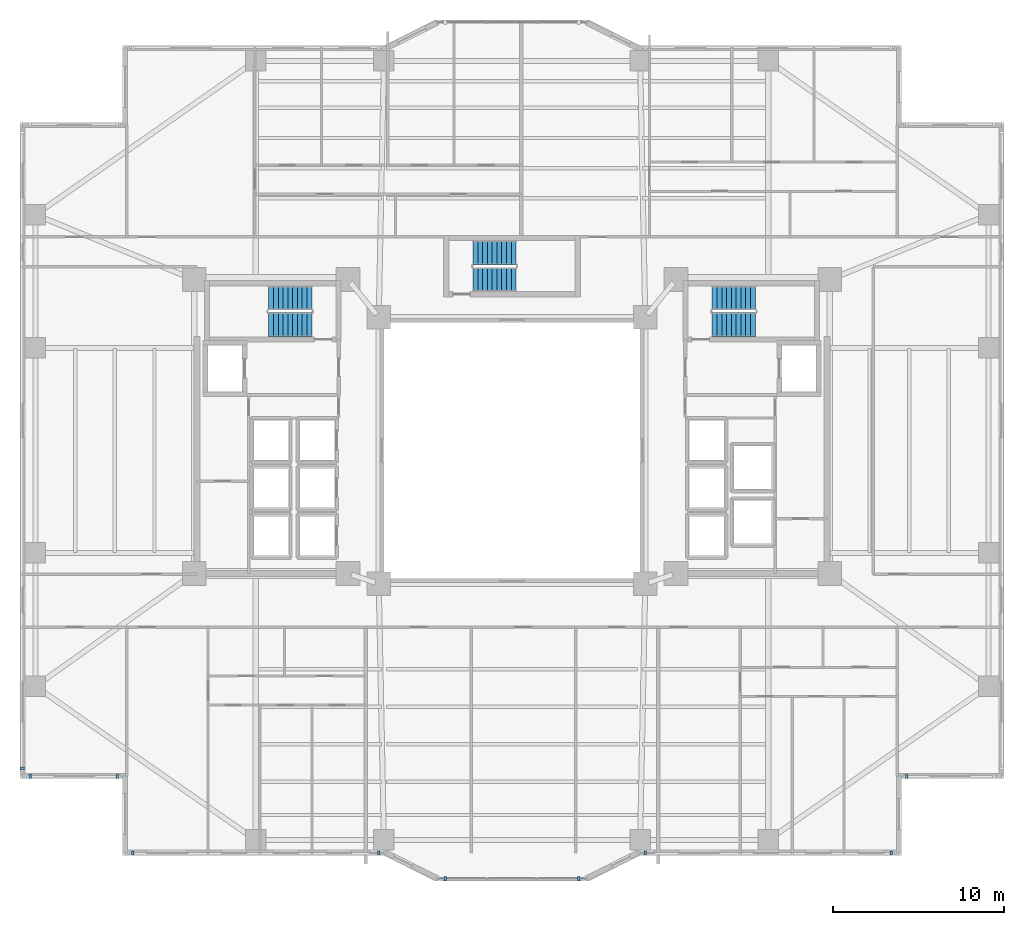
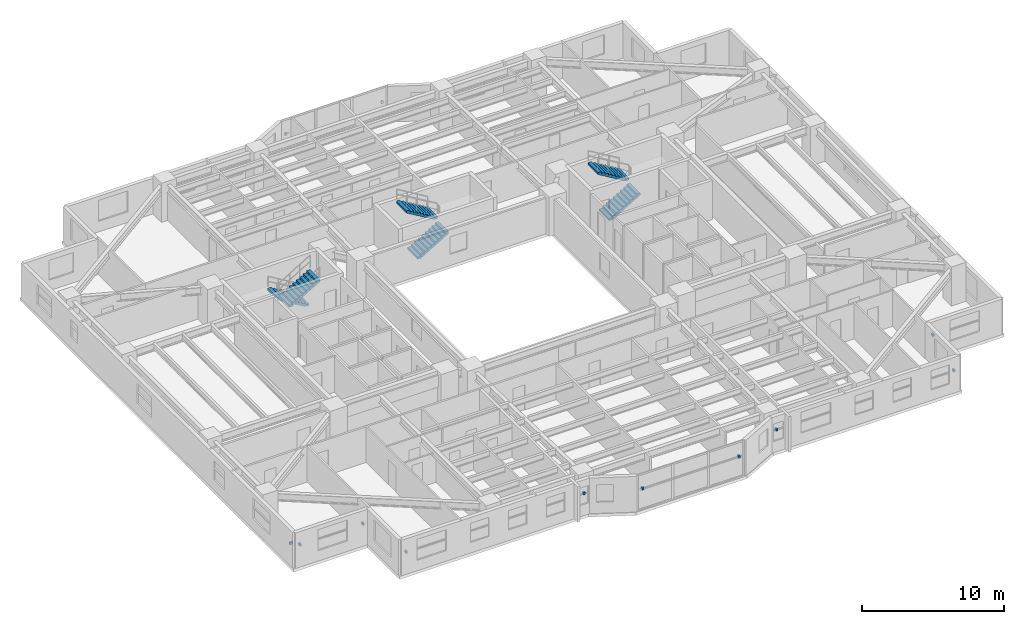
# One storey, part 15 of 20: 10 discrete accessories, 6 stair flights, 3 elements without a shape of their own.
"""IFC4 building model written with IfcOpenShell, lengths in metres."""

from ifc_helpers import new_model, si_unit, direction, frame, origin, origin_2d, place, context, subcontext, project, spatial, polyline, rectangle, outline, extrude, material, type_object, element, aggregate, save


model = new_model("IFC4")

# Units and contexts
model_context = context("Model", 3, precision=1e-05, world=origin(), true_north=direction((0.0, 1.0)))
body_context = subcontext(model_context, "Body", "Model", "MODEL_VIEW")
ifc_project = project(units=[si_unit("LENGTHUNIT", "METRE"), si_unit("AREAUNIT", "SQUARE_METRE"), si_unit("VOLUMEUNIT", "CUBIC_METRE"), si_unit("PLANEANGLEUNIT", "RADIAN"), si_unit("MASSUNIT", "GRAM", prefix="KILO")], contexts=[model_context])

# Site, building, storey
site_placement = place(None, origin())
site = spatial("IfcSite", under=ifc_project, at=site_placement, CompositionType="ELEMENT")
building_placement = place(site_placement, origin())
building = spatial("IfcBuilding", under=site, at=building_placement, Name="Tarnavaz Court Tower", CompositionType="ELEMENT")
storey_placement = place(building_placement, frame((0.0, 0.0, 60.85009765625)))
storey = spatial("IfcBuildingStorey", under=building, at=storey_placement, Name="L16", CompositionType="ELEMENT", Elevation=60.85009765625)

# Stair, stair flights
ifc_material_1 = material(Name="Concrete C40/50", Category="concrete")
stair_type = type_object("IfcStairType", Name="ST-TWR-20R", PredefinedType="HALF_TURN_STAIR", material=ifc_material_1)
stair_1_placement = place(storey_placement, origin())
stair_1 = element("IfcStair", 1, at=stair_1_placement, inside=storey, type_object=stair_type, Name="L16 West Core Pressurized Exit Stair ST-W1", PredefinedType="HALF_TURN_STAIR")
stair_flight_type = type_object("IfcStairFlightType", Name="SFL-RC-20R", PredefinedType="STRAIGHT", material=ifc_material_1)
stair_flight_1_placement = place(storey_placement, frame((-11.719970703125, 8.929931640625, 0.0), z_axis=(0.0, 0.0, 1.0), x_axis=(-1.0, 0.0, 0.0)))
stair_flight_1 = element("IfcStairFlight", 2, at=stair_flight_1_placement, type_object=stair_flight_type, Name="ST-W1 flight 1", NumberOfRisers=10, NumberOfTreads=9, PredefinedType="STRAIGHT", RiserHeight=0.1675, TreadLength=0.28, context=body_context, shape_type="SweptSolid", body=[
    extrude(outline(polyline([(0.0, 0.0), (0.0, 0.16748046875), (0.280029296875, 0.16748046875), (0.280029296875, 0.3349609375), (0.56005859375, 0.3349609375), (0.56005859375, 0.50244140625), (0.840087890625, 0.50244140625), (0.840087890625, 0.669921875), (1.1201171875, 0.669921875), (1.1201171875, 0.83740234375), (1.39990234375, 0.83740234375), (1.39990234375, 1.0048828125), (1.679931640625, 1.0048828125), (1.679931640625, 1.172607421875), (1.9599609375, 1.172607421875), (1.9599609375, 1.340087890625), (2.239990234375, 1.340087890625), (2.239990234375, 1.507568359375), (2.52001953125, 1.507568359375), (2.52001953125, 1.675048828125), (2.52001953125, 1.332763671875), (0.2919921875, 0.0), (0.0, 0.0)])), frame((0.0, 0.7099609375, 0.0), z_axis=(0.0, -1.0, 0.0), x_axis=(1.0, 0.0, 0.0)), (0.0, 0.0, 1.0), 1.419921875),
])
stair_flight_2_placement = place(storey_placement, frame((-14.239990234375, 7.360107421875, 1.6748046875), z_axis=(0.0, 0.0, 1.0), x_axis=(1.0, 0.0, 0.0)))
stair_flight_2 = element("IfcStairFlight", 3, at=stair_flight_2_placement, type_object=stair_flight_type, Name="ST-W1 flight 2", NumberOfRisers=10, NumberOfTreads=9, PredefinedType="STRAIGHT", RiserHeight=0.1675, TreadLength=0.28, context=body_context, shape_type="SweptSolid", body=[
    extrude(outline(polyline([(0.0, 0.0), (0.0, 0.16748046875), (0.280029296875, 0.16748046875), (0.280029296875, 0.3349609375), (0.56005859375, 0.3349609375), (0.56005859375, 0.50244140625), (0.840087890625, 0.50244140625), (0.840087890625, 0.669921875), (1.1201171875, 0.669921875), (1.1201171875, 0.83740234375), (1.39990234375, 0.83740234375), (1.39990234375, 1.0048828125), (1.679931640625, 1.0048828125), (1.679931640625, 1.172607421875), (1.9599609375, 1.172607421875), (1.9599609375, 1.340087890625), (2.239990234375, 1.340087890625), (2.239990234375, 1.507568359375), (2.52001953125, 1.507568359375), (2.52001953125, 1.675048828125), (2.52001953125, 1.332763671875), (0.2919921875, 0.0), (0.0, 0.0)])), frame((0.0, 0.7099609375, 0.0), z_axis=(0.0, -1.0, 0.0), x_axis=(1.0, 0.0, 0.0)), (0.0, 0.0, 1.0), 1.419921875),
])
aggregate(stair_1, [stair_flight_1, stair_flight_2])

stair_2_placement = place(storey_placement, origin())
stair_2 = element("IfcStair", 4, at=stair_2_placement, inside=storey, type_object=stair_type, Name="L16 East Core Pressurized Exit Stair ST-E1", PredefinedType="HALF_TURN_STAIR")
stair_flight_3_placement = place(storey_placement, frame((11.719970703125, 7.360107421875, 0.0), z_axis=(0.0, 0.0, 1.0), x_axis=(1.0, 0.0, 0.0)))
stair_flight_3 = element("IfcStairFlight", 5, at=stair_flight_3_placement, type_object=stair_flight_type, Name="ST-E1 flight 1", NumberOfRisers=10, NumberOfTreads=9, PredefinedType="STRAIGHT", RiserHeight=0.1675, TreadLength=0.28, context=body_context, shape_type="SweptSolid", body=[
    extrude(outline(polyline([(0.0, 0.0), (0.0, 0.16748046875), (0.280029296875, 0.16748046875), (0.280029296875, 0.3349609375), (0.56005859375, 0.3349609375), (0.56005859375, 0.50244140625), (0.840087890625, 0.50244140625), (0.840087890625, 0.669921875), (1.1201171875, 0.669921875), (1.1201171875, 0.83740234375), (1.39990234375, 0.83740234375), (1.39990234375, 1.0048828125), (1.679931640625, 1.0048828125), (1.679931640625, 1.172607421875), (1.9599609375, 1.172607421875), (1.9599609375, 1.340087890625), (2.239990234375, 1.340087890625), (2.239990234375, 1.507568359375), (2.52001953125, 1.507568359375), (2.52001953125, 1.675048828125), (2.52001953125, 1.332763671875), (0.2919921875, 0.0), (0.0, 0.0)])), frame((0.0, 0.7099609375, 0.0), z_axis=(0.0, -1.0, 0.0), x_axis=(1.0, 0.0, 0.0)), (0.0, 0.0, 1.0), 1.419921875),
])
stair_flight_4_placement = place(storey_placement, frame((14.239990234375, 8.929931640625, 1.6748046875), z_axis=(0.0, 0.0, 1.0), x_axis=(-1.0, 0.0, 0.0)))
stair_flight_4 = element("IfcStairFlight", 6, at=stair_flight_4_placement, type_object=stair_flight_type, Name="ST-E1 flight 2", NumberOfRisers=10, NumberOfTreads=9, PredefinedType="STRAIGHT", RiserHeight=0.1675, TreadLength=0.28, context=body_context, shape_type="SweptSolid", body=[
    extrude(outline(polyline([(0.0, 0.0), (0.0, 0.16748046875), (0.280029296875, 0.16748046875), (0.280029296875, 0.3349609375), (0.56005859375, 0.3349609375), (0.56005859375, 0.50244140625), (0.840087890625, 0.50244140625), (0.840087890625, 0.669921875), (1.1201171875, 0.669921875), (1.1201171875, 0.83740234375), (1.39990234375, 0.83740234375), (1.39990234375, 1.0048828125), (1.679931640625, 1.0048828125), (1.679931640625, 1.172607421875), (1.9599609375, 1.172607421875), (1.9599609375, 1.340087890625), (2.239990234375, 1.340087890625), (2.239990234375, 1.507568359375), (2.52001953125, 1.507568359375), (2.52001953125, 1.675048828125), (2.52001953125, 1.332763671875), (0.2919921875, 0.0), (0.0, 0.0)])), frame((0.0, 0.7099609375, 0.0), z_axis=(0.0, -1.0, 0.0), x_axis=(1.0, 0.0, 0.0)), (0.0, 0.0, 1.0), 1.419921875),
])
aggregate(stair_2, [stair_flight_3, stair_flight_4])

stair_3_placement = place(storey_placement, origin())
stair_3 = element("IfcStair", 7, at=stair_3_placement, inside=storey, type_object=stair_type, Name="L16 North Ring Pressurized Exit Stair ST-N1", PredefinedType="HALF_TURN_STAIR")
stair_flight_5_placement = place(storey_placement, frame((-2.280029296875, 10.010009765625, 0.0), z_axis=(0.0, 0.0, 1.0), x_axis=(1.0, 0.0, 0.0)))
stair_flight_5 = element("IfcStairFlight", 8, at=stair_flight_5_placement, type_object=stair_flight_type, Name="ST-N1 flight 1", NumberOfRisers=10, NumberOfTreads=9, PredefinedType="STRAIGHT", RiserHeight=0.1675, TreadLength=0.28, context=body_context, shape_type="SweptSolid", body=[
    extrude(outline(polyline([(0.0, 0.0), (0.0, 0.16748046875), (0.280029296875, 0.16748046875), (0.280029296875, 0.3349609375), (0.56005859375, 0.3349609375), (0.56005859375, 0.50244140625), (0.840087890625, 0.50244140625), (0.840087890625, 0.669921875), (1.1201171875, 0.669921875), (1.1201171875, 0.83740234375), (1.39990234375, 0.83740234375), (1.39990234375, 1.0048828125), (1.679931640625, 1.0048828125), (1.679931640625, 1.172607421875), (1.9599609375, 1.172607421875), (1.9599609375, 1.340087890625), (2.239990234375, 1.340087890625), (2.239990234375, 1.507568359375), (2.52001953125, 1.507568359375), (2.52001953125, 1.675048828125), (2.52001953125, 1.332763671875), (0.2919921875, 0.0), (0.0, 0.0)])), frame((0.0, 0.7099609375, 0.0), z_axis=(0.0, -1.0, 0.0), x_axis=(1.0, 0.0, 0.0)), (0.0, 0.0, 1.0), 1.419921875),
])
stair_flight_6_placement = place(storey_placement, frame((0.239990234375, 11.580078125, 1.6748046875), z_axis=(0.0, 0.0, 1.0), x_axis=(-1.0, 0.0, 0.0)))
stair_flight_6 = element("IfcStairFlight", 9, at=stair_flight_6_placement, type_object=stair_flight_type, Name="ST-N1 flight 2", NumberOfRisers=10, NumberOfTreads=9, PredefinedType="STRAIGHT", RiserHeight=0.1675, TreadLength=0.28, context=body_context, shape_type="SweptSolid", body=[
    extrude(outline(polyline([(0.0, 0.0), (0.0, 0.16748046875), (0.280029296875, 0.16748046875), (0.280029296875, 0.3349609375), (0.56005859375, 0.3349609375), (0.56005859375, 0.50244140625), (0.840087890625, 0.50244140625), (0.840087890625, 0.669921875), (1.1201171875, 0.669921875), (1.1201171875, 0.83740234375), (1.39990234375, 0.83740234375), (1.39990234375, 1.0048828125), (1.679931640625, 1.0048828125), (1.679931640625, 1.172607421875), (1.9599609375, 1.172607421875), (1.9599609375, 1.340087890625), (2.239990234375, 1.340087890625), (2.239990234375, 1.507568359375), (2.52001953125, 1.507568359375), (2.52001953125, 1.675048828125), (2.52001953125, 1.332763671875), (0.2919921875, 0.0), (0.0, 0.0)])), frame((0.0, 0.7099609375, 0.0), z_axis=(0.0, -1.0, 0.0), x_axis=(1.0, 0.0, 0.0)), (0.0, 0.0, 1.0), 1.419921875),
])
aggregate(stair_3, [stair_flight_5, stair_flight_6])

# Discrete accessories
ifc_material_2 = material(Name="Anodised Aluminium 6063-T6", Category="aluminium")
discrete_accessory_type = type_object("IfcDiscreteAccessoryType", Name="DA-BRKT-ALU", PredefinedType="BRACKET", material=ifc_material_2)
for number, where, z_axis, x_axis, name in (
    (10, (-23.10009765625, -19.070068359375, 1.75), (0.0, 0.0, 1.0), (-1.0, 0.0, 0.0), "L16 Baguette Outrigger Bracket FBG01-1"),
    (11, (-28.199951171875, -19.070068359375, 1.75), (0.0, 0.0, 1.0), (-1.0, 0.0, 0.0), "L16 Baguette Outrigger Bracket FBG01-2"),
    (12, (-28.669921875, -18.60009765625, 1.75), (0.0, 0.0, 1.0), (0.0, 1.0, 0.0), "L16 Baguette Outrigger Bracket FBG02-1"),
    (13, (23.10009765625, -19.070068359375, 1.75), (0.0, 0.0, 1.0), (-1.0, 0.0, 0.0), "L16 Baguette Outrigger Bracket FBG13-2"),
    (14, (22.199951171875, -23.570068359375, 1.75), (0.0, 0.0, 1.0), (-1.0, 0.0, 0.0), "L16 Baguette Outrigger Bracket FBG15-1"),
    (15, (7.800048828125, -23.570068359375, 1.75), (0.0, 0.0, 1.0), (-1.0, 0.0, 0.0), "L16 Baguette Outrigger Bracket FBG15-2"),
    (16, (3.89990234375, -25.070068359375, 1.69970703125), (0.0, 0.0, 1.0), (-1.0, 0.0, 0.0), "L16 Baguette Outrigger Bracket PBG17-1"),
    (17, (-3.89990234375, -25.070068359375, 1.69970703125), (0.0, 0.0, 1.0), (-1.0, 0.0, 0.0), "L16 Baguette Outrigger Bracket PBG17-2"),
    (18, (-7.800048828125, -23.570068359375, 1.75), (0.0, 0.0, 1.0), (-1.0, 0.0, 0.0), "L16 Baguette Outrigger Bracket FBG19-1"),
    (19, (-22.199951171875, -23.570068359375, 1.75), (0.0, 0.0, 1.0), (-1.0, 0.0, 0.0), "L16 Baguette Outrigger Bracket FBG19-2"),
):
    element("IfcDiscreteAccessory", number, at=place(storey_placement, frame(where, z_axis=z_axis, x_axis=x_axis)), inside=storey, type_object=discrete_accessory_type, Name=name, PredefinedType="BRACKET", context=body_context, shape_type="SweptSolid", body=[
        extrude(rectangle(XDim=0.139892578125, YDim=0.239990234375, at=origin_2d()), origin(), (0.0, 0.0, 1.0), 0.199951171875),
    ])

save(model, "model.ifc")
